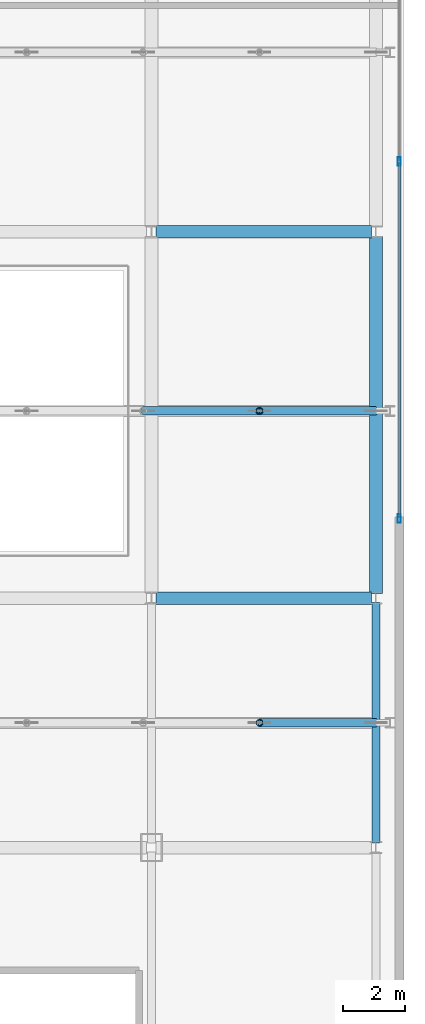
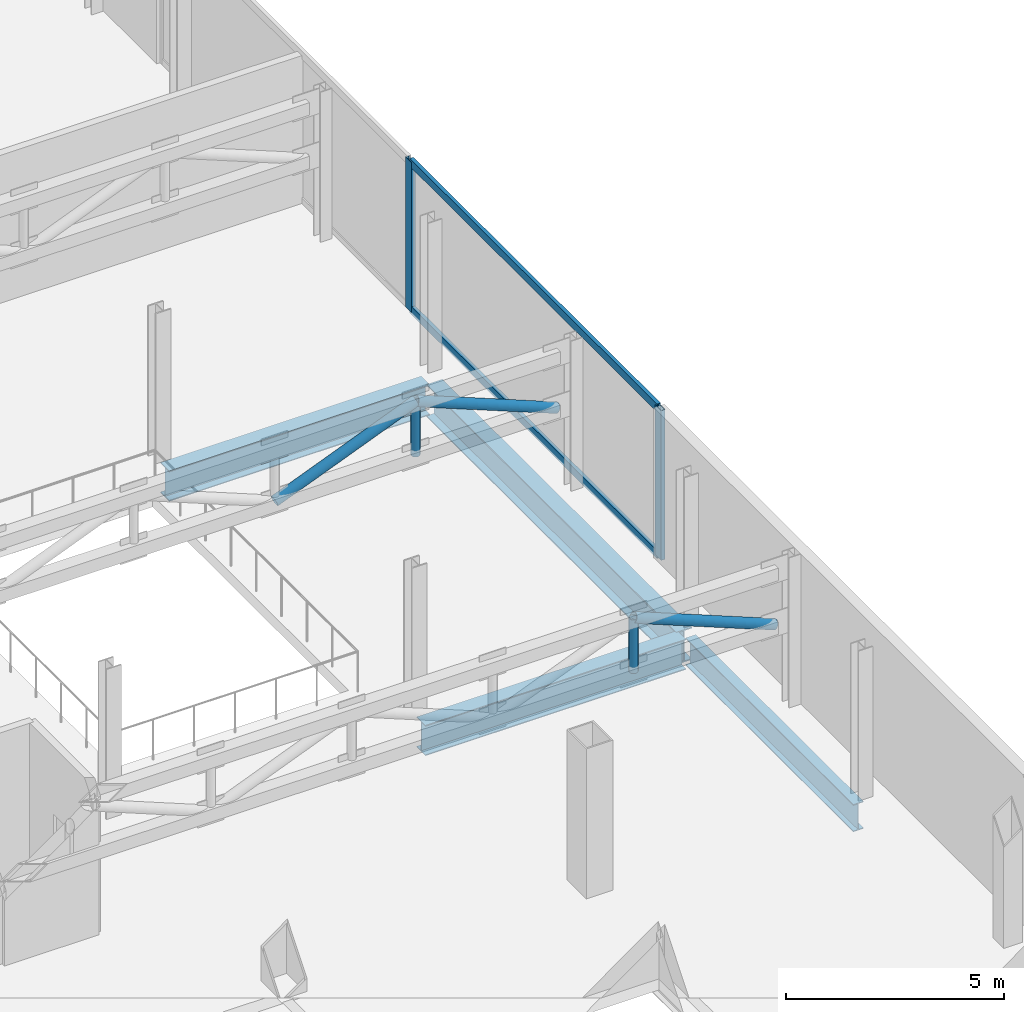
# One storey, part 18 of 28: 9 members, 4 beams, 1 element without a shape of its own.
"""IFC4 building model written with IfcOpenShell, lengths in metres."""

from ifc_helpers import new_model, si_unit, direction, frame, origin, origin_2d, place, context, subcontext, project, spatial, hollow_rectangle, hollow_circle, i_section, extrude, source, transform, mapped, material, layer, layer_set, material_profile, profile_set, type_object, element, aggregate, save


model = new_model("IFC4")

# Units and contexts
model_context = context("Model", 3, precision=1e-05, world=origin(), true_north=direction((0.0, 1.0)))
body_context = subcontext(model_context, "Body", "Model", "MODEL_VIEW")
ifc_project = project(units=[si_unit("LENGTHUNIT", "METRE"), si_unit("AREAUNIT", "SQUARE_METRE"), si_unit("VOLUMEUNIT", "CUBIC_METRE"), si_unit("PLANEANGLEUNIT", "RADIAN"), si_unit("MASSUNIT", "GRAM", prefix="KILO")], contexts=[model_context])

# Site, building, storey
site_placement = place(None, origin())
site = spatial("IfcSite", under=ifc_project, at=site_placement, CompositionType="ELEMENT")
building_placement = place(site_placement, origin())
building = spatial("IfcBuilding", under=site, at=building_placement, Name="Kolveth Station Tower", CompositionType="ELEMENT")
storey_placement = place(building_placement, frame((0.0, 0.0, 18.0)))
storey = spatial("IfcBuildingStorey", under=building, at=storey_placement, Name="L04", CompositionType="ELEMENT", Elevation=18.0)

# Beams
ifc_material_1 = material(Name="Steel S355", Category="steel")
ifc_material_profile_1 = material_profile(ifc_material_1, i_section(OverallWidth=0.40087890625, OverallDepth=0.85107421875, WebThickness=0.01611328125, FlangeThickness=0.025390625, at=origin_2d()), Name="W840x226")
ifc_profile_set_1 = profile_set([ifc_material_profile_1], Name="Steel S355")
beam_type_1 = type_object("IfcBeamType", Name="Beam_B2", PredefinedType="BEAM", material=ifc_profile_set_1)
shared_shape_1 = source(origin(), body_context, "Body", "SweptSolid", [
    extrude(i_section(OverallWidth=0.40087890625, OverallDepth=0.85107421875, WebThickness=0.01611328125, FlangeThickness=0.025390625, at=origin_2d()), origin(), (0.0, 0.0, 1.0), 6.900146484375),
])
for number, where, z_axis, x_axis, name in (
    (1, (63.64990234375, 5.5, -0.74560546875), (1.0, 0.0, 0.0), (0.0, 1.0, 0.0), "L04 Station Portal Girder SBM-L04-EW-3-3"),
    (2, (63.64990234375, 17.25, -0.74560546875), (1.0, 0.0, 0.0), (0.0, 1.0, 0.0), "L04 Station Portal Girder SBM-L04-EW-4-3"),
):
    element("IfcBeam", number, at=place(storey_placement, frame(where, z_axis=z_axis, x_axis=x_axis)), inside=storey, type_object=beam_type_1, Name=name, PredefinedType="BEAM", context=body_context, shape_type="MappedRepresentation", body=[
        mapped(shared_shape_1, transform((0.0, 0.0, 0.0), x_axis=(1.0, 0.0, 0.0), y_axis=(0.0, 1.0, 0.0), z_axis=(0.0, 0.0, 1.0), scale=1.0)),
    ])
ifc_material_profile_2 = material_profile(ifc_material_1, i_section(OverallWidth=0.26708984375, OverallDepth=0.76611328125, WebThickness=0.014892578125, FlangeThickness=0.023681640625, at=origin_2d()), Name="W760x185")
ifc_profile_set_2 = profile_set([ifc_material_profile_2], Name="Steel S355")
beam_type_2 = type_object("IfcBeamType", Name="Beam_B3", PredefinedType="BEAM", material=ifc_profile_set_2)
shared_shape_2 = source(origin(), body_context, "Body", "SweptSolid", [
    extrude(i_section(OverallWidth=0.26708984375, OverallDepth=0.76611328125, WebThickness=0.014892578125, FlangeThickness=0.023681640625, at=origin_2d()), origin(), (0.0, 0.0, 1.0), 7.7001953125),
])
beam_1_placement = place(storey_placement, frame((70.699951171875, -2.35009765625, -0.702880859375), z_axis=(0.0, 1.0, 0.0), x_axis=(-1.0, 0.0, 0.0)))
element("IfcBeam", 3, at=beam_1_placement, inside=storey, type_object=beam_type_2, Name="L04 Station Spine Girder SBM-L04-NS-4-2", PredefinedType="BEAM", context=body_context, shape_type="MappedRepresentation", body=[
    mapped(shared_shape_2, transform((0.0, 0.0, 0.0), x_axis=(1.0, 0.0, 0.0), y_axis=(0.0, 1.0, 0.0), z_axis=(0.0, 0.0, 1.0), scale=1.0)),
])
ifc_material_profile_3 = material_profile(ifc_material_1, i_section(OverallWidth=0.41796875, OverallDepth=0.912109375, WebThickness=0.019287109375, FlangeThickness=0.031982421875, at=origin_2d()), Name="W920x342")
ifc_profile_set_3 = profile_set([ifc_material_profile_3], Name="Steel S355")
beam_type_3 = type_object("IfcBeamType", Name="Beam_B1", PredefinedType="BEAM", material=ifc_profile_set_3)
shared_shape_3 = source(origin(), body_context, "Body", "SweptSolid", [
    extrude(i_section(OverallWidth=0.41796875, OverallDepth=0.912109375, WebThickness=0.019287109375, FlangeThickness=0.031982421875, at=origin_2d()), origin(), (0.0, 0.0, 1.0), 11.4501953125),
])
beam_2_placement = place(storey_placement, frame((70.699951171875, 5.64990234375, -0.77587890625), z_axis=(0.0, 1.0, 0.0), x_axis=(-1.0, 0.0, 0.0)))
element("IfcBeam", 4, at=beam_2_placement, inside=storey, type_object=beam_type_3, Name="L04 Station Spine Girder SBM-L04-NS-4-3", PredefinedType="BEAM", context=body_context, shape_type="MappedRepresentation", body=[
    mapped(shared_shape_3, transform((0.0, 0.0, 0.0), x_axis=(1.0, 0.0, 0.0), y_axis=(0.0, 1.0, 0.0), z_axis=(0.0, 0.0, 1.0), scale=1.0)),
])

# Members
ifc_material_profile_4 = material_profile(ifc_material_1, hollow_circle(Radius=0.136474609375, WallThickness=0.012451171875, at=origin_2d()), Name="CHS273x12.5")
ifc_profile_set_4 = profile_set([ifc_material_profile_4], Name="Steel S355")
member_type_1 = type_object("IfcMemberType", Name="Mem_BR5", PredefinedType="BRACE", material=ifc_profile_set_4)
shared_shape_4 = source(origin(), body_context, "Body", "SweptSolid", [
    extrude(hollow_circle(Radius=0.136474609375, WallThickness=0.012451171875, at=origin_2d()), origin(), (0.0, 0.0, 1.0), 4.0234375),
])
for number, where, z_axis, x_axis, name in (
    (5, (66.966552734375, 1.5, 3.85009765625), (0.927906471561, 0.0, -0.372813063123), (0.0, 1.0, 0.0), "Station Roof Truss 1 Diagonal 6"),
    (6, (66.966552734375, 11.5, 3.85009765625), (0.927906471561, 0.0, -0.372813063123), (0.0, 1.0, 0.0), "Station Roof Truss 2 Diagonal 6"),
):
    element("IfcMember", number, at=place(storey_placement, frame(where, z_axis=z_axis, x_axis=x_axis)), inside=storey, type_object=member_type_1, Name=name, PredefinedType="BRACE", context=body_context, shape_type="MappedRepresentation", body=[
        mapped(shared_shape_4, transform((0.0, 0.0, 0.0), x_axis=(1.0, 0.0, 0.0), y_axis=(0.0, 1.0, 0.0), z_axis=(0.0, 0.0, 1.0), scale=1.0)),
    ])
shared_shape_5 = source(origin(), body_context, "Body", "SweptSolid", [
    extrude(hollow_circle(Radius=0.136474609375, WallThickness=0.012451171875, at=origin_2d()), origin(), (0.0, 0.0, 1.0), 4.023193359375),
])
member_1_placement = place(storey_placement, frame((63.2333984375, 11.5, 2.35009765625), z_axis=(0.927898037071, 0.0, 0.372834055311), x_axis=(0.0, 1.0, 0.0)))
element("IfcMember", 7, at=member_1_placement, inside=storey, type_object=member_type_1, Name="Station Roof Truss 2 Diagonal 5", PredefinedType="BRACE", context=body_context, shape_type="MappedRepresentation", body=[
    mapped(shared_shape_5, transform((0.0, 0.0, 0.0), x_axis=(1.0, 0.0, 0.0), y_axis=(0.0, 1.0, 0.0), z_axis=(0.0, 0.0, 1.0), scale=1.0)),
])
ifc_material_profile_5 = material_profile(ifc_material_1, hollow_circle(Radius=0.109619140625, WallThickness=0.010009765625, at=origin_2d()), Name="CHS219x10")
ifc_profile_set_5 = profile_set([ifc_material_profile_5], Name="Steel S355")
member_type_2 = type_object("IfcMemberType", Name="Mem_ST-R1", PredefinedType="STRUT", material=ifc_profile_set_5)
shared_shape_6 = source(origin(), body_context, "Body", "SweptSolid", [
    extrude(hollow_circle(Radius=0.109619140625, WallThickness=0.010009765625, at=origin_2d()), origin(), (0.0, 0.0, 1.0), 1.5),
])
for number, where, z_axis, x_axis, name in (
    (8, (66.966552734375, 1.5, 2.35009765625), (0.0, 0.0, 1.0), (1.0, 0.0, 0.0), "Station Roof Truss 1 Strut 5"),
    (9, (66.966552734375, 11.5, 2.35009765625), (0.0, 0.0, 1.0), (1.0, 0.0, 0.0), "Station Roof Truss 2 Strut 5"),
):
    element("IfcMember", number, at=place(storey_placement, frame(where, z_axis=z_axis, x_axis=x_axis)), inside=storey, type_object=member_type_2, Name=name, PredefinedType="STRUT", context=body_context, shape_type="MappedRepresentation", body=[
        mapped(shared_shape_6, transform((0.0, 0.0, 0.0), x_axis=(1.0, 0.0, 0.0), y_axis=(0.0, 1.0, 0.0), z_axis=(0.0, 0.0, 1.0), scale=1.0)),
    ])

# Curtain wall, members
ifc_material_2 = material(Name="Black anodized aluminium 6063-T6 and clear station glass", Category="aluminium")
ifc_layer = layer(ifc_material_2, 0.239990234375)
ifc_layer_set = layer_set([ifc_layer], Name="Black anodized aluminium 6063-T6 and clear station glass")
curtain_wall_type = type_object("IfcCurtainWallType", Name="CurtainWall_CW-ST", PredefinedType="NOTDEFINED", material=ifc_layer_set)
curtain_wall_placement = place(storey_placement, origin())
curtain_wall = element("IfcCurtainWall", 10, at=curtain_wall_placement, inside=storey, type_object=curtain_wall_type, Name="L04 Station East Main Hall Curtain Wall", PredefinedType="NOTDEFINED")
ifc_material_3 = material(Name="Black anodized aluminium 6063-T6", Category="aluminium")
ifc_material_profile_6 = material_profile(ifc_material_3, hollow_rectangle(XDim=0.094970703125, YDim=0.219970703125, WallThickness=0.0048828125, at=origin_2d()), Name="ALU-95x220x5")
ifc_profile_set_6 = profile_set([ifc_material_profile_6], Name="Black anodized aluminium 6063-T6")
member_type_3 = type_object("IfcMemberType", Name="Transom_TR-ST", PredefinedType="USERDEFINED", material=ifc_profile_set_6)
shared_shape_7 = source(origin(), body_context, "Body", "SweptSolid", [
    extrude(hollow_rectangle(XDim=0.094970703125, YDim=0.219970703125, WallThickness=0.0048828125, at=origin_2d()), origin(), (0.0, 0.0, 1.0), 11.349853515625),
])
member_2_placement = place(storey_placement, frame((71.449951171875, 8.10009765625, 0.047607421875), z_axis=(0.0, 1.0, 0.0), x_axis=(-1.0, 0.0, 0.0)))
member_2 = element("IfcMember", 11, at=member_2_placement, type_object=member_type_3, Name="CW-ST transom 1.1", ObjectType="TRANSOM", PredefinedType="USERDEFINED", context=body_context, shape_type="MappedRepresentation", body=[
    mapped(shared_shape_7, transform((0.0, 0.0, 0.0), x_axis=(1.0, 0.0, 0.0), y_axis=(0.0, 1.0, 0.0), z_axis=(0.0, 0.0, 1.0), scale=1.0)),
])
member_3_placement = place(storey_placement, frame((71.449951171875, 8.10009765625, 4.152587890625), z_axis=(0.0, 1.0, 0.0), x_axis=(-1.0, 0.0, 0.0)))
member_3 = element("IfcMember", 12, at=member_3_placement, type_object=member_type_3, Name="CW-ST transom 1.2", ObjectType="TRANSOM", PredefinedType="USERDEFINED", context=body_context, shape_type="MappedRepresentation", body=[
    mapped(shared_shape_7, transform((0.0, 0.0, 0.0), x_axis=(1.0, 0.0, 0.0), y_axis=(0.0, 1.0, 0.0), z_axis=(0.0, 0.0, 1.0), scale=1.0)),
])
ifc_material_profile_7 = material_profile(ifc_material_3, hollow_rectangle(XDim=0.10009765625, YDim=0.280029296875, WallThickness=0.0048828125, at=origin_2d()), Name="ALU-100x280x5")
ifc_profile_set_7 = profile_set([ifc_material_profile_7], Name="Black anodized aluminium 6063-T6")
member_type_4 = type_object("IfcMemberType", Name="Mullion_ML-ST", PredefinedType="MULLION", material=ifc_profile_set_7)
shared_shape_8 = source(origin(), body_context, "Body", "SweptSolid", [
    extrude(hollow_rectangle(XDim=0.10009765625, YDim=0.280029296875, WallThickness=0.0048828125, at=origin_2d()), origin(), (0.0, 0.0, 1.0), 4.199951171875),
])
member_4_placement = place(storey_placement, frame((71.449951171875, 8.050048828125, 0.0), z_axis=(0.0, 0.0, 1.0), x_axis=(-1.0, 0.0, 0.0)))
member_4 = element("IfcMember", 13, at=member_4_placement, type_object=member_type_4, Name="CW-ST mullion 1", PredefinedType="MULLION", context=body_context, shape_type="MappedRepresentation", body=[
    mapped(shared_shape_8, transform((0.0, 0.0, 0.0), x_axis=(1.0, 0.0, 0.0), y_axis=(0.0, 1.0, 0.0), z_axis=(0.0, 0.0, 1.0), scale=1.0)),
])
member_5_placement = place(storey_placement, frame((71.449951171875, 19.5, 0.0), z_axis=(0.0, 0.0, 1.0), x_axis=(-1.0, 0.0, 0.0)))
member_5 = element("IfcMember", 14, at=member_5_placement, type_object=member_type_4, Name="CW-ST mullion 2", PredefinedType="MULLION", context=body_context, shape_type="MappedRepresentation", body=[
    mapped(shared_shape_8, transform((0.0, 0.0, 0.0), x_axis=(1.0, 0.0, 0.0), y_axis=(0.0, 1.0, 0.0), z_axis=(0.0, 0.0, 1.0), scale=1.0)),
])
aggregate(curtain_wall, [member_4, member_5, member_2, member_3])

save(model, "model.ifc")
